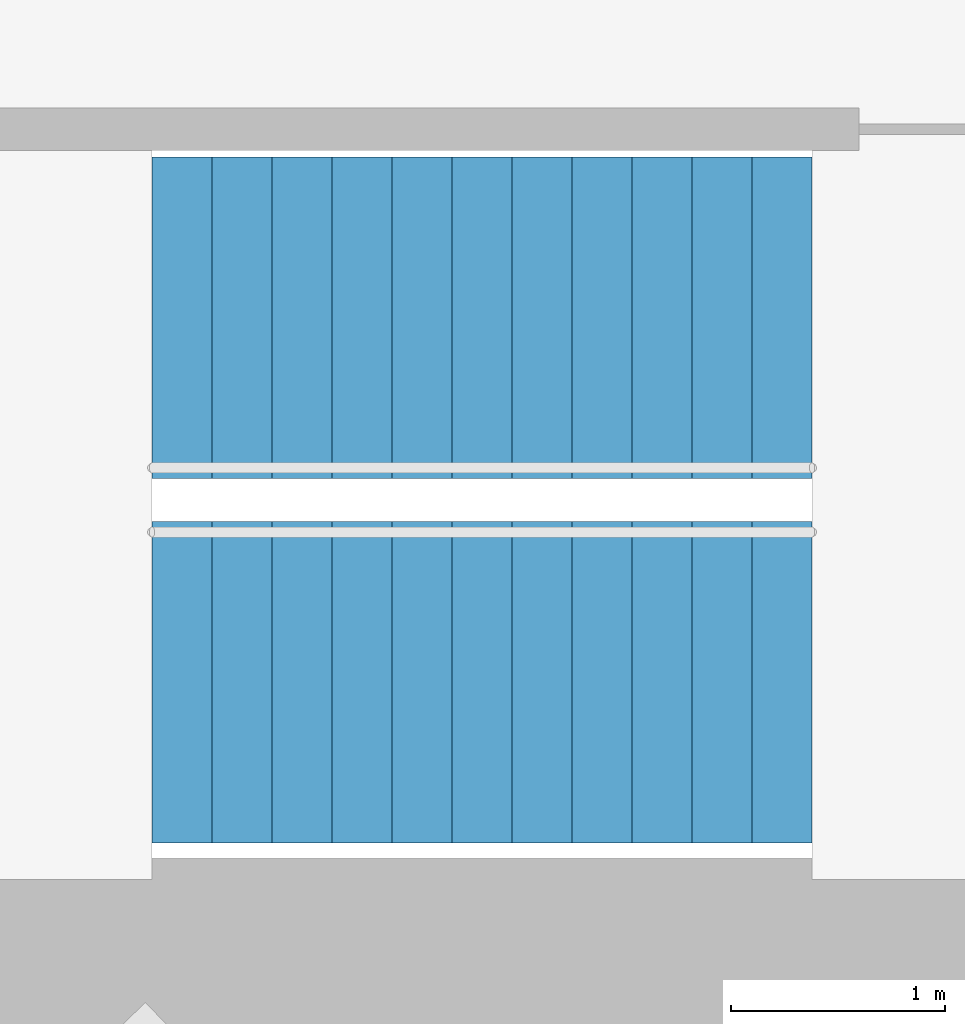
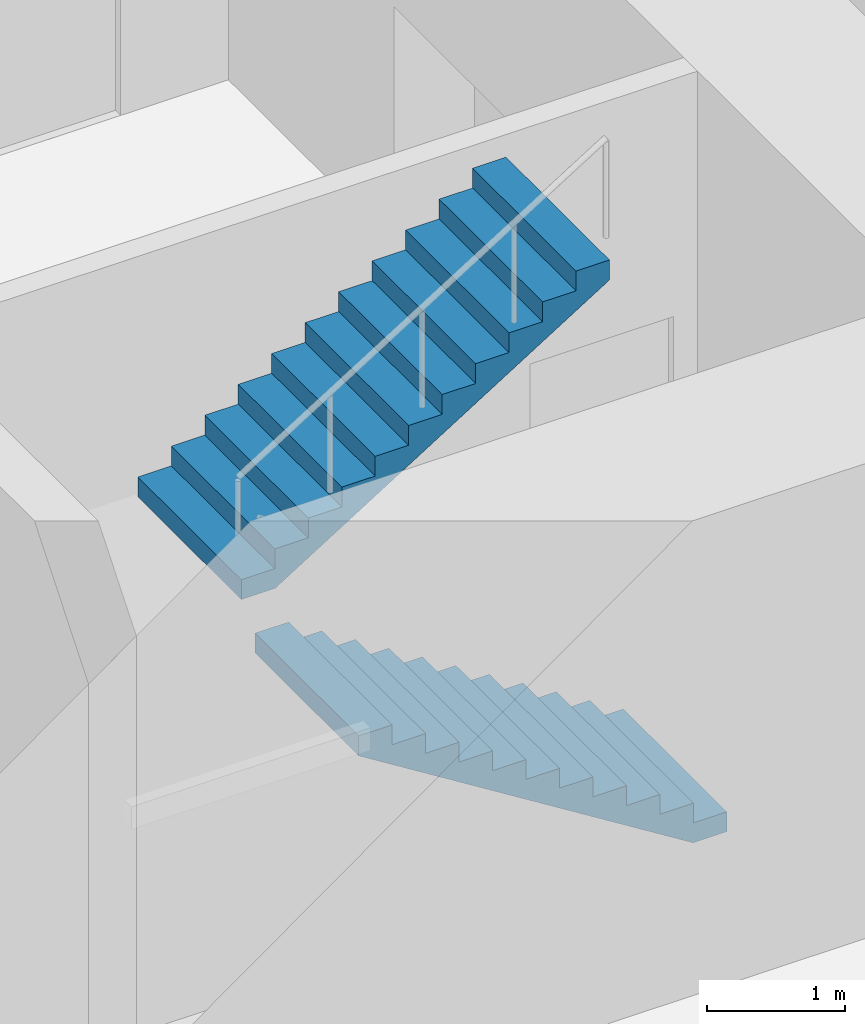
# One storey, part 17 of 18: 2 stair flights, 1 element without a shape of its own.
"""IFC4 building model written with IfcOpenShell, lengths in metres."""

from ifc_helpers import new_model, si_unit, direction, frame, origin, place, context, subcontext, project, spatial, triangles, material, type_object, element, aggregate, save


model = new_model("IFC4")

# Units and contexts
model_context = context("Model", 3, precision=1e-05, world=origin(), true_north=direction((0.0, 1.0)))
body_context = subcontext(model_context, "Body", "Model", "MODEL_VIEW")
ifc_project = project(units=[si_unit("LENGTHUNIT", "METRE"), si_unit("AREAUNIT", "SQUARE_METRE"), si_unit("VOLUMEUNIT", "CUBIC_METRE"), si_unit("PLANEANGLEUNIT", "RADIAN"), si_unit("MASSUNIT", "GRAM", prefix="KILO")], contexts=[model_context])

# Site, building, storey
site_placement = place(None, origin())
site = spatial("IfcSite", under=ifc_project, at=site_placement, CompositionType="ELEMENT")
building_placement = place(site_placement, origin())
building = spatial("IfcBuilding", under=site, at=building_placement, Name="Lantaw Convention Tower", CompositionType="ELEMENT")
storey_placement = place(building_placement, frame((0.0, 0.0, 146.800048828125)))
storey = spatial("IfcBuildingStorey", under=building, at=storey_placement, Name="L34", CompositionType="ELEMENT", Elevation=146.800048828125)

# Stair, stair flights
ifc_material = material(Name="Concrete C35/45", Category="concrete")
stair_type = type_object("IfcStairType", Name="Exit stair 1500 riser 175 in 2 flights", PredefinedType="HALF_TURN_STAIR", material=ifc_material)
stair_placement = place(storey_placement, origin())
stair = element("IfcStair", 1, at=stair_placement, inside=storey, type_object=stair_type, Name="Exit stair S2 L34", PredefinedType="HALF_TURN_STAIR")
stair_flight_type = type_object("IfcStairFlightType", Name="Stair flight 1500 riser 175", PredefinedType="STRAIGHT", material=ifc_material)
stair_flight_1_placement = place(storey_placement, frame((10.580078125, -5.97998046875, 0.0), z_axis=(0.0, 0.0, 1.0), x_axis=(-1.0, 0.0, 0.0)))
stair_flight_1 = element("IfcStairFlight", 2, at=stair_flight_1_placement, type_object=stair_flight_type, Name="S2 flight 1", NumberOfRisers=12, NumberOfTreads=11, PredefinedType="STRAIGHT", RiserHeight=0.175, TreadLength=0.28, context=body_context, shape_type="Tessellation", body=[
    triangles([(0.0, 0.75, 0.0), (0.0, 0.75, 0.175), (0.28, 0.75, 0.0), (0.28, 0.75, 0.175), (0.28, 0.75, 0.35), (0.28283517651771284, 0.75, 0.0), (0.28283517651771284, 0.75, 0.35), (0.56, 0.75, 0.17322801467642948), (0.56, 0.75, 0.35), (0.56, 0.75, 0.5249999999999999), (0.8400000000000001, 0.75, 0.34822801467642944), (0.8400000000000001, 0.75, 0.5249999999999999), (0.8400000000000001, 0.75, 0.7), (1.12, 0.75, 0.5232280146764294), (1.12, 0.75, 0.7), (1.12, 0.75, 0.875), (1.4000000000000001, 0.75, 0.6982280146764295), (1.4000000000000001, 0.75, 0.875), (1.4000000000000001, 0.75, 1.0499999999999998), (1.6800000000000002, 0.75, 0.8732280146764294), (1.6800000000000002, 0.75, 1.0499999999999998), (1.6800000000000002, 0.75, 1.2249999999999999), (1.9600000000000002, 0.75, 1.0482280146764293), (1.9600000000000002, 0.75, 1.2249999999999999), (1.9600000000000002, 0.75, 1.4), (2.24, 0.75, 1.2232280146764294), (2.24, 0.75, 1.4), (2.24, 0.75, 1.575), (2.5200000000000005, 0.75, 1.3982280146764294), (2.5200000000000005, 0.75, 1.575), (2.5200000000000005, 0.75, 1.75), (2.8000000000000003, 0.75, 1.5732280146764293), (2.8000000000000003, 0.75, 1.75), (2.8000000000000003, 0.75, 1.9249999999999998), (3.08, 0.75, 1.7482280146764293), (3.08, 0.75, 1.9249999999999998), (0.0, -0.75, 0.0), (0.0, -0.75, 0.175), (0.28, -0.75, 0.0), (0.28, -0.75, 0.175), (0.28, -0.75, 0.35), (0.28283517651771284, -0.75, 0.0), (0.28283517651771284, -0.75, 0.35), (0.56, -0.75, 0.17322801467642948), (0.56, -0.75, 0.35), (0.56, -0.75, 0.5249999999999999), (0.8400000000000001, -0.75, 0.34822801467642944), (0.8400000000000001, -0.75, 0.5249999999999999), (0.8400000000000001, -0.75, 0.7), (1.12, -0.75, 0.5232280146764294), (1.12, -0.75, 0.7), (1.12, -0.75, 0.875), (1.4000000000000001, -0.75, 0.6982280146764295), (1.4000000000000001, -0.75, 0.875), (1.4000000000000001, -0.75, 1.0499999999999998), (1.6800000000000002, -0.75, 0.8732280146764294), (1.6800000000000002, -0.75, 1.0499999999999998), (1.6800000000000002, -0.75, 1.2249999999999999), (1.9600000000000002, -0.75, 1.0482280146764293), (1.9600000000000002, -0.75, 1.2249999999999999), (1.9600000000000002, -0.75, 1.4), (2.24, -0.75, 1.2232280146764294), (2.24, -0.75, 1.4), (2.24, -0.75, 1.575), (2.5200000000000005, -0.75, 1.3982280146764294), (2.5200000000000005, -0.75, 1.575), (2.5200000000000005, -0.75, 1.75), (2.8000000000000003, -0.75, 1.5732280146764293), (2.8000000000000003, -0.75, 1.75), (2.8000000000000003, -0.75, 1.9249999999999998), (3.08, -0.75, 1.7482280146764293), (3.08, -0.75, 1.9249999999999998), (0.0, 0.15000000000000002, 0.175), (0.0, 0.15000000000000002, 0.0), (0.0, 0.0, 0.175), (0.0, 0.0, 0.0), (0.0, -0.15000000000000002, 0.175), (0.0, -0.15000000000000002, 0.0), (0.28, 0.15000000000000002, 0.35), (0.28, 0.15000000000000002, 0.175), (0.28, 0.0, 0.35), (0.28, 0.0, 0.175), (0.28, -0.15000000000000002, 0.35), (0.28, -0.15000000000000002, 0.175), (0.56, 0.15000000000000002, 0.5249999999999999), (0.56, 0.15000000000000002, 0.35), (0.56, 0.0, 0.5249999999999999), (0.56, 0.0, 0.35), (0.56, -0.15000000000000002, 0.5249999999999999), (0.56, -0.15000000000000002, 0.35), (0.8400000000000001, 0.15000000000000002, 0.7), (0.8400000000000001, 0.15000000000000002, 0.5249999999999999), (0.8400000000000001, 0.0, 0.7), (0.8400000000000001, 0.0, 0.5249999999999999), (0.8400000000000001, -0.15000000000000002, 0.7), (0.8400000000000001, -0.15000000000000002, 0.5249999999999999), (1.12, 0.15000000000000002, 0.875), (1.12, 0.15000000000000002, 0.7), (1.12, 0.0, 0.875), (1.12, 0.0, 0.7), (1.12, -0.15000000000000002, 0.875), (1.12, -0.15000000000000002, 0.7), (1.4000000000000001, 0.15000000000000002, 1.0499999999999998), (1.4000000000000001, 0.15000000000000002, 0.875), (1.4000000000000001, 0.0, 1.0499999999999998), (1.4000000000000001, 0.0, 0.875), (1.4000000000000001, -0.15000000000000002, 1.0499999999999998), (1.4000000000000001, -0.15000000000000002, 0.875), (1.6800000000000002, 0.15000000000000002, 1.2249999999999999), (1.6800000000000002, 0.15000000000000002, 1.0499999999999998), (1.6800000000000002, 0.0, 1.2249999999999999), (1.6800000000000002, 0.0, 1.0499999999999998), (1.6800000000000002, -0.15000000000000002, 1.2249999999999999), (1.6800000000000002, -0.15000000000000002, 1.0499999999999998), (1.9600000000000002, 0.15000000000000002, 1.4), (1.9600000000000002, 0.15000000000000002, 1.2249999999999999), (1.9600000000000002, 0.0, 1.4), (1.9600000000000002, 0.0, 1.2249999999999999), (1.9600000000000002, -0.15000000000000002, 1.4), (1.9600000000000002, -0.15000000000000002, 1.2249999999999999), (2.24, 0.15000000000000002, 1.575), (2.24, 0.15000000000000002, 1.4), (2.24, 0.0, 1.575), (2.24, 0.0, 1.4), (2.24, -0.15000000000000002, 1.575), (2.24, -0.15000000000000002, 1.4), (2.5200000000000005, 0.15000000000000002, 1.75), (2.5200000000000005, 0.15000000000000002, 1.575), (2.5200000000000005, 0.0, 1.75), (2.5200000000000005, 0.0, 1.575), (2.5200000000000005, -0.15000000000000002, 1.75), (2.5200000000000005, -0.15000000000000002, 1.575), (2.8000000000000003, 0.15000000000000002, 1.9249999999999998), (2.8000000000000003, 0.15000000000000002, 1.75), (2.8000000000000003, 0.0, 1.9249999999999998), (2.8000000000000003, 0.0, 1.75), (2.8000000000000003, -0.15000000000000002, 1.9249999999999998), (2.8000000000000003, -0.15000000000000002, 1.75), (0.28283517651771284, 0.15000000000000002, 0.35), (0.28283517651771284, 0.0, 0.35), (0.28283517651771284, -0.15000000000000002, 0.35), (3.08, 0.15000000000000002, 1.9249999999999998), (3.08, 0.0, 1.9249999999999998), (3.08, -0.15000000000000002, 1.9249999999999998), (3.08, 0.15000000000000002, 1.7482280146764293), (3.08, 0.0, 1.7482280146764293), (3.08, -0.15000000000000002, 1.7482280146764293), (2.8000000000000003, 0.15000000000000002, 1.5732280146764293), (2.8000000000000003, 0.0, 1.5732280146764293), (2.8000000000000003, -0.15000000000000002, 1.5732280146764293), (2.5200000000000005, 0.15000000000000002, 1.3982280146764294), (2.5200000000000005, 0.0, 1.3982280146764294), (2.5200000000000005, -0.15000000000000002, 1.3982280146764294), (2.24, 0.15000000000000002, 1.2232280146764294), (2.24, 0.0, 1.2232280146764294), (2.24, -0.15000000000000002, 1.2232280146764294), (1.9600000000000002, 0.15000000000000002, 1.0482280146764293), (1.9600000000000002, 0.0, 1.0482280146764293), (1.9600000000000002, -0.15000000000000002, 1.0482280146764293), (1.6800000000000002, 0.15000000000000002, 0.8732280146764294), (1.6800000000000002, 0.0, 0.8732280146764294), (1.6800000000000002, -0.15000000000000002, 0.8732280146764294), (1.4000000000000001, 0.15000000000000002, 0.6982280146764295), (1.4000000000000001, 0.0, 0.6982280146764295), (1.4000000000000001, -0.15000000000000002, 0.6982280146764295), (1.12, 0.15000000000000002, 0.5232280146764294), (1.12, 0.0, 0.5232280146764294), (1.12, -0.15000000000000002, 0.5232280146764294), (0.8400000000000001, 0.15000000000000002, 0.34822801467642944), (0.8400000000000001, 0.0, 0.34822801467642944), (0.8400000000000001, -0.15000000000000002, 0.34822801467642944), (0.56, 0.15000000000000002, 0.17322801467642948), (0.56, 0.0, 0.17322801467642948), (0.56, -0.15000000000000002, 0.17322801467642948), (0.28283517651771284, 0.15000000000000002, 0.0), (0.28283517651771284, 0.0, 0.0), (0.28283517651771284, -0.15000000000000002, 0.0), (0.28, 0.15000000000000002, 0.0), (0.28, 0.0, 0.0), (0.28, -0.15000000000000002, 0.0)], [[1, 4, 3], [1, 2, 4], [3, 4, 6], [4, 7, 6], [4, 5, 7], [6, 9, 8], [6, 7, 9], [8, 9, 11], [9, 12, 11], [9, 10, 12], [11, 12, 14], [12, 15, 14], [12, 13, 15], [14, 15, 17], [15, 18, 17], [15, 16, 18], [17, 18, 20], [18, 21, 20], [18, 19, 21], [20, 21, 23], [21, 24, 23], [21, 22, 24], [23, 24, 26], [24, 27, 26], [24, 25, 27], [26, 27, 29], [27, 30, 29], [27, 28, 30], [29, 30, 32], [30, 33, 32], [30, 31, 33], [32, 33, 35], [33, 36, 35], [33, 34, 36], [37, 39, 40], [37, 40, 38], [39, 42, 40], [40, 42, 43], [40, 43, 41], [42, 44, 45], [42, 45, 43], [44, 47, 45], [45, 47, 48], [45, 48, 46], [47, 50, 48], [48, 50, 51], [48, 51, 49], [50, 53, 51], [51, 53, 54], [51, 54, 52], [53, 56, 54], [54, 56, 57], [54, 57, 55], [56, 59, 57], [57, 59, 60], [57, 60, 58], [59, 62, 60], [60, 62, 63], [60, 63, 61], [62, 65, 63], [63, 65, 66], [63, 66, 64], [65, 68, 66], [66, 68, 69], [66, 69, 67], [68, 71, 69], [69, 71, 72], [69, 72, 70], [1, 73, 2], [1, 74, 73], [74, 75, 73], [74, 76, 75], [76, 77, 75], [76, 78, 77], [78, 38, 77], [78, 37, 38], [4, 79, 5], [4, 80, 79], [80, 81, 79], [80, 82, 81], [82, 83, 81], [82, 84, 83], [84, 41, 83], [84, 40, 41], [9, 85, 10], [9, 86, 85], [86, 87, 85], [86, 88, 87], [88, 89, 87], [88, 90, 89], [90, 46, 89], [90, 45, 46], [12, 91, 13], [12, 92, 91], [92, 93, 91], [92, 94, 93], [94, 95, 93], [94, 96, 95], [96, 49, 95], [96, 48, 49], [15, 97, 16], [15, 98, 97], [98, 99, 97], [98, 100, 99], [100, 101, 99], [100, 102, 101], [102, 52, 101], [102, 51, 52], [18, 103, 19], [18, 104, 103], [104, 105, 103], [104, 106, 105], [106, 107, 105], [106, 108, 107], [108, 55, 107], [108, 54, 55], [21, 109, 22], [21, 110, 109], [110, 111, 109], [110, 112, 111], [112, 113, 111], [112, 114, 113], [114, 58, 113], [114, 57, 58], [24, 115, 25], [24, 116, 115], [116, 117, 115], [116, 118, 117], [118, 119, 117], [118, 120, 119], [120, 61, 119], [120, 60, 61], [27, 121, 28], [27, 122, 121], [122, 123, 121], [122, 124, 123], [124, 125, 123], [124, 126, 125], [126, 64, 125], [126, 63, 64], [30, 127, 31], [30, 128, 127], [128, 129, 127], [128, 130, 129], [130, 131, 129], [130, 132, 131], [132, 67, 131], [132, 66, 67], [33, 133, 34], [33, 134, 133], [134, 135, 133], [134, 136, 135], [136, 137, 135], [136, 138, 137], [138, 70, 137], [138, 69, 70], [2, 80, 4], [2, 73, 80], [73, 82, 80], [73, 75, 82], [75, 84, 82], [75, 77, 84], [77, 40, 84], [77, 38, 40], [5, 139, 7], [5, 79, 139], [79, 140, 139], [79, 81, 140], [81, 141, 140], [81, 83, 141], [83, 43, 141], [83, 41, 43], [7, 86, 9], [7, 139, 86], [139, 88, 86], [139, 140, 88], [140, 90, 88], [140, 141, 90], [141, 45, 90], [141, 43, 45], [10, 92, 12], [10, 85, 92], [85, 94, 92], [85, 87, 94], [87, 96, 94], [87, 89, 96], [89, 48, 96], [89, 46, 48], [13, 98, 15], [13, 91, 98], [91, 100, 98], [91, 93, 100], [93, 102, 100], [93, 95, 102], [95, 51, 102], [95, 49, 51], [16, 104, 18], [16, 97, 104], [97, 106, 104], [97, 99, 106], [99, 108, 106], [99, 101, 108], [101, 54, 108], [101, 52, 54], [19, 110, 21], [19, 103, 110], [103, 112, 110], [103, 105, 112], [105, 114, 112], [105, 107, 114], [107, 57, 114], [107, 55, 57], [22, 116, 24], [22, 109, 116], [109, 118, 116], [109, 111, 118], [111, 120, 118], [111, 113, 120], [113, 60, 120], [113, 58, 60], [25, 122, 27], [25, 115, 122], [115, 124, 122], [115, 117, 124], [117, 126, 124], [117, 119, 126], [119, 63, 126], [119, 61, 63], [28, 128, 30], [28, 121, 128], [121, 130, 128], [121, 123, 130], [123, 132, 130], [123, 125, 132], [125, 66, 132], [125, 64, 66], [31, 134, 33], [31, 127, 134], [127, 136, 134], [127, 129, 136], [129, 138, 136], [129, 131, 138], [131, 69, 138], [131, 67, 69], [34, 142, 36], [34, 133, 142], [133, 143, 142], [133, 135, 143], [135, 144, 143], [135, 137, 144], [137, 72, 144], [137, 70, 72], [36, 145, 35], [36, 142, 145], [142, 146, 145], [142, 143, 146], [143, 147, 146], [143, 144, 147], [144, 71, 147], [144, 72, 71], [35, 148, 32], [35, 145, 148], [145, 149, 148], [145, 146, 149], [146, 150, 149], [146, 147, 150], [147, 68, 150], [147, 71, 68], [32, 151, 29], [32, 148, 151], [148, 152, 151], [148, 149, 152], [149, 153, 152], [149, 150, 153], [150, 65, 153], [150, 68, 65], [29, 154, 26], [29, 151, 154], [151, 155, 154], [151, 152, 155], [152, 156, 155], [152, 153, 156], [153, 62, 156], [153, 65, 62], [26, 157, 23], [26, 154, 157], [154, 158, 157], [154, 155, 158], [155, 159, 158], [155, 156, 159], [156, 59, 159], [156, 62, 59], [23, 160, 20], [23, 157, 160], [157, 161, 160], [157, 158, 161], [158, 162, 161], [158, 159, 162], [159, 56, 162], [159, 59, 56], [20, 163, 17], [20, 160, 163], [160, 164, 163], [160, 161, 164], [161, 165, 164], [161, 162, 165], [162, 53, 165], [162, 56, 53], [17, 166, 14], [17, 163, 166], [163, 167, 166], [163, 164, 167], [164, 168, 167], [164, 165, 168], [165, 50, 168], [165, 53, 50], [14, 169, 11], [14, 166, 169], [166, 170, 169], [166, 167, 170], [167, 171, 170], [167, 168, 171], [168, 47, 171], [168, 50, 47], [11, 172, 8], [11, 169, 172], [169, 173, 172], [169, 170, 173], [170, 174, 173], [170, 171, 174], [171, 44, 174], [171, 47, 44], [8, 175, 6], [8, 172, 175], [172, 176, 175], [172, 173, 176], [173, 177, 176], [173, 174, 177], [174, 42, 177], [174, 44, 42], [6, 178, 3], [6, 175, 178], [175, 179, 178], [175, 176, 179], [176, 180, 179], [176, 177, 180], [177, 39, 180], [177, 42, 39], [3, 74, 1], [3, 178, 74], [178, 76, 74], [178, 179, 76], [179, 78, 76], [179, 180, 78], [180, 37, 78], [180, 39, 37]], closed=True),
])
stair_flight_2_placement = place(storey_placement, frame((7.5, -4.280029296875, 2.099853515625), z_axis=(0.0, 0.0, 1.0), x_axis=(1.0, 0.0, 0.0)))
stair_flight_2 = element("IfcStairFlight", 3, at=stair_flight_2_placement, type_object=stair_flight_type, Name="S2 flight 2", NumberOfRisers=12, NumberOfTreads=11, PredefinedType="STRAIGHT", RiserHeight=0.175, TreadLength=0.28, context=body_context, shape_type="Tessellation", body=[
    triangles([(0.0, 0.75, 0.0), (0.0, 0.75, 0.175), (0.28, 0.75, 0.0), (0.28, 0.75, 0.175), (0.28, 0.75, 0.35), (0.28283517651771284, 0.75, 0.0), (0.28283517651771284, 0.75, 0.35), (0.56, 0.75, 0.17322801467642948), (0.56, 0.75, 0.35), (0.56, 0.75, 0.5249999999999999), (0.8400000000000001, 0.75, 0.34822801467642944), (0.8400000000000001, 0.75, 0.5249999999999999), (0.8400000000000001, 0.75, 0.7), (1.12, 0.75, 0.5232280146764294), (1.12, 0.75, 0.7), (1.12, 0.75, 0.875), (1.4000000000000001, 0.75, 0.6982280146764295), (1.4000000000000001, 0.75, 0.875), (1.4000000000000001, 0.75, 1.0499999999999998), (1.6800000000000002, 0.75, 0.8732280146764294), (1.6800000000000002, 0.75, 1.0499999999999998), (1.6800000000000002, 0.75, 1.2249999999999999), (1.9600000000000002, 0.75, 1.0482280146764293), (1.9600000000000002, 0.75, 1.2249999999999999), (1.9600000000000002, 0.75, 1.4), (2.24, 0.75, 1.2232280146764294), (2.24, 0.75, 1.4), (2.24, 0.75, 1.575), (2.5200000000000005, 0.75, 1.3982280146764294), (2.5200000000000005, 0.75, 1.575), (2.5200000000000005, 0.75, 1.75), (2.8000000000000003, 0.75, 1.5732280146764293), (2.8000000000000003, 0.75, 1.75), (2.8000000000000003, 0.75, 1.9249999999999998), (3.08, 0.75, 1.7482280146764293), (3.08, 0.75, 1.9249999999999998), (0.0, -0.75, 0.0), (0.0, -0.75, 0.175), (0.28, -0.75, 0.0), (0.28, -0.75, 0.175), (0.28, -0.75, 0.35), (0.28283517651771284, -0.75, 0.0), (0.28283517651771284, -0.75, 0.35), (0.56, -0.75, 0.17322801467642948), (0.56, -0.75, 0.35), (0.56, -0.75, 0.5249999999999999), (0.8400000000000001, -0.75, 0.34822801467642944), (0.8400000000000001, -0.75, 0.5249999999999999), (0.8400000000000001, -0.75, 0.7), (1.12, -0.75, 0.5232280146764294), (1.12, -0.75, 0.7), (1.12, -0.75, 0.875), (1.4000000000000001, -0.75, 0.6982280146764295), (1.4000000000000001, -0.75, 0.875), (1.4000000000000001, -0.75, 1.0499999999999998), (1.6800000000000002, -0.75, 0.8732280146764294), (1.6800000000000002, -0.75, 1.0499999999999998), (1.6800000000000002, -0.75, 1.2249999999999999), (1.9600000000000002, -0.75, 1.0482280146764293), (1.9600000000000002, -0.75, 1.2249999999999999), (1.9600000000000002, -0.75, 1.4), (2.24, -0.75, 1.2232280146764294), (2.24, -0.75, 1.4), (2.24, -0.75, 1.575), (2.5200000000000005, -0.75, 1.3982280146764294), (2.5200000000000005, -0.75, 1.575), (2.5200000000000005, -0.75, 1.75), (2.8000000000000003, -0.75, 1.5732280146764293), (2.8000000000000003, -0.75, 1.75), (2.8000000000000003, -0.75, 1.9249999999999998), (3.08, -0.75, 1.7482280146764293), (3.08, -0.75, 1.9249999999999998), (0.0, 0.15000000000000002, 0.175), (0.0, 0.15000000000000002, 0.0), (0.0, 0.0, 0.175), (0.0, 0.0, 0.0), (0.0, -0.15000000000000002, 0.175), (0.0, -0.15000000000000002, 0.0), (0.28, 0.15000000000000002, 0.35), (0.28, 0.15000000000000002, 0.175), (0.28, 0.0, 0.35), (0.28, 0.0, 0.175), (0.28, -0.15000000000000002, 0.35), (0.28, -0.15000000000000002, 0.175), (0.56, 0.15000000000000002, 0.5249999999999999), (0.56, 0.15000000000000002, 0.35), (0.56, 0.0, 0.5249999999999999), (0.56, 0.0, 0.35), (0.56, -0.15000000000000002, 0.5249999999999999), (0.56, -0.15000000000000002, 0.35), (0.8400000000000001, 0.15000000000000002, 0.7), (0.8400000000000001, 0.15000000000000002, 0.5249999999999999), (0.8400000000000001, 0.0, 0.7), (0.8400000000000001, 0.0, 0.5249999999999999), (0.8400000000000001, -0.15000000000000002, 0.7), (0.8400000000000001, -0.15000000000000002, 0.5249999999999999), (1.12, 0.15000000000000002, 0.875), (1.12, 0.15000000000000002, 0.7), (1.12, 0.0, 0.875), (1.12, 0.0, 0.7), (1.12, -0.15000000000000002, 0.875), (1.12, -0.15000000000000002, 0.7), (1.4000000000000001, 0.15000000000000002, 1.0499999999999998), (1.4000000000000001, 0.15000000000000002, 0.875), (1.4000000000000001, 0.0, 1.0499999999999998), (1.4000000000000001, 0.0, 0.875), (1.4000000000000001, -0.15000000000000002, 1.0499999999999998), (1.4000000000000001, -0.15000000000000002, 0.875), (1.6800000000000002, 0.15000000000000002, 1.2249999999999999), (1.6800000000000002, 0.15000000000000002, 1.0499999999999998), (1.6800000000000002, 0.0, 1.2249999999999999), (1.6800000000000002, 0.0, 1.0499999999999998), (1.6800000000000002, -0.15000000000000002, 1.2249999999999999), (1.6800000000000002, -0.15000000000000002, 1.0499999999999998), (1.9600000000000002, 0.15000000000000002, 1.4), (1.9600000000000002, 0.15000000000000002, 1.2249999999999999), (1.9600000000000002, 0.0, 1.4), (1.9600000000000002, 0.0, 1.2249999999999999), (1.9600000000000002, -0.15000000000000002, 1.4), (1.9600000000000002, -0.15000000000000002, 1.2249999999999999), (2.24, 0.15000000000000002, 1.575), (2.24, 0.15000000000000002, 1.4), (2.24, 0.0, 1.575), (2.24, 0.0, 1.4), (2.24, -0.15000000000000002, 1.575), (2.24, -0.15000000000000002, 1.4), (2.5200000000000005, 0.15000000000000002, 1.75), (2.5200000000000005, 0.15000000000000002, 1.575), (2.5200000000000005, 0.0, 1.75), (2.5200000000000005, 0.0, 1.575), (2.5200000000000005, -0.15000000000000002, 1.75), (2.5200000000000005, -0.15000000000000002, 1.575), (2.8000000000000003, 0.15000000000000002, 1.9249999999999998), (2.8000000000000003, 0.15000000000000002, 1.75), (2.8000000000000003, 0.0, 1.9249999999999998), (2.8000000000000003, 0.0, 1.75), (2.8000000000000003, -0.15000000000000002, 1.9249999999999998), (2.8000000000000003, -0.15000000000000002, 1.75), (0.28283517651771284, 0.15000000000000002, 0.35), (0.28283517651771284, 0.0, 0.35), (0.28283517651771284, -0.15000000000000002, 0.35), (3.08, 0.15000000000000002, 1.9249999999999998), (3.08, 0.0, 1.9249999999999998), (3.08, -0.15000000000000002, 1.9249999999999998), (3.08, 0.15000000000000002, 1.7482280146764293), (3.08, 0.0, 1.7482280146764293), (3.08, -0.15000000000000002, 1.7482280146764293), (2.8000000000000003, 0.15000000000000002, 1.5732280146764293), (2.8000000000000003, 0.0, 1.5732280146764293), (2.8000000000000003, -0.15000000000000002, 1.5732280146764293), (2.5200000000000005, 0.15000000000000002, 1.3982280146764294), (2.5200000000000005, 0.0, 1.3982280146764294), (2.5200000000000005, -0.15000000000000002, 1.3982280146764294), (2.24, 0.15000000000000002, 1.2232280146764294), (2.24, 0.0, 1.2232280146764294), (2.24, -0.15000000000000002, 1.2232280146764294), (1.9600000000000002, 0.15000000000000002, 1.0482280146764293), (1.9600000000000002, 0.0, 1.0482280146764293), (1.9600000000000002, -0.15000000000000002, 1.0482280146764293), (1.6800000000000002, 0.15000000000000002, 0.8732280146764294), (1.6800000000000002, 0.0, 0.8732280146764294), (1.6800000000000002, -0.15000000000000002, 0.8732280146764294), (1.4000000000000001, 0.15000000000000002, 0.6982280146764295), (1.4000000000000001, 0.0, 0.6982280146764295), (1.4000000000000001, -0.15000000000000002, 0.6982280146764295), (1.12, 0.15000000000000002, 0.5232280146764294), (1.12, 0.0, 0.5232280146764294), (1.12, -0.15000000000000002, 0.5232280146764294), (0.8400000000000001, 0.15000000000000002, 0.34822801467642944), (0.8400000000000001, 0.0, 0.34822801467642944), (0.8400000000000001, -0.15000000000000002, 0.34822801467642944), (0.56, 0.15000000000000002, 0.17322801467642948), (0.56, 0.0, 0.17322801467642948), (0.56, -0.15000000000000002, 0.17322801467642948), (0.28283517651771284, 0.15000000000000002, 0.0), (0.28283517651771284, 0.0, 0.0), (0.28283517651771284, -0.15000000000000002, 0.0), (0.28, 0.15000000000000002, 0.0), (0.28, 0.0, 0.0), (0.28, -0.15000000000000002, 0.0)], [[1, 4, 3], [1, 2, 4], [3, 4, 6], [4, 7, 6], [4, 5, 7], [6, 9, 8], [6, 7, 9], [8, 9, 11], [9, 12, 11], [9, 10, 12], [11, 12, 14], [12, 15, 14], [12, 13, 15], [14, 15, 17], [15, 18, 17], [15, 16, 18], [17, 18, 20], [18, 21, 20], [18, 19, 21], [20, 21, 23], [21, 24, 23], [21, 22, 24], [23, 24, 26], [24, 27, 26], [24, 25, 27], [26, 27, 29], [27, 30, 29], [27, 28, 30], [29, 30, 32], [30, 33, 32], [30, 31, 33], [32, 33, 35], [33, 36, 35], [33, 34, 36], [37, 39, 40], [37, 40, 38], [39, 42, 40], [40, 42, 43], [40, 43, 41], [42, 44, 45], [42, 45, 43], [44, 47, 45], [45, 47, 48], [45, 48, 46], [47, 50, 48], [48, 50, 51], [48, 51, 49], [50, 53, 51], [51, 53, 54], [51, 54, 52], [53, 56, 54], [54, 56, 57], [54, 57, 55], [56, 59, 57], [57, 59, 60], [57, 60, 58], [59, 62, 60], [60, 62, 63], [60, 63, 61], [62, 65, 63], [63, 65, 66], [63, 66, 64], [65, 68, 66], [66, 68, 69], [66, 69, 67], [68, 71, 69], [69, 71, 72], [69, 72, 70], [1, 73, 2], [1, 74, 73], [74, 75, 73], [74, 76, 75], [76, 77, 75], [76, 78, 77], [78, 38, 77], [78, 37, 38], [4, 79, 5], [4, 80, 79], [80, 81, 79], [80, 82, 81], [82, 83, 81], [82, 84, 83], [84, 41, 83], [84, 40, 41], [9, 85, 10], [9, 86, 85], [86, 87, 85], [86, 88, 87], [88, 89, 87], [88, 90, 89], [90, 46, 89], [90, 45, 46], [12, 91, 13], [12, 92, 91], [92, 93, 91], [92, 94, 93], [94, 95, 93], [94, 96, 95], [96, 49, 95], [96, 48, 49], [15, 97, 16], [15, 98, 97], [98, 99, 97], [98, 100, 99], [100, 101, 99], [100, 102, 101], [102, 52, 101], [102, 51, 52], [18, 103, 19], [18, 104, 103], [104, 105, 103], [104, 106, 105], [106, 107, 105], [106, 108, 107], [108, 55, 107], [108, 54, 55], [21, 109, 22], [21, 110, 109], [110, 111, 109], [110, 112, 111], [112, 113, 111], [112, 114, 113], [114, 58, 113], [114, 57, 58], [24, 115, 25], [24, 116, 115], [116, 117, 115], [116, 118, 117], [118, 119, 117], [118, 120, 119], [120, 61, 119], [120, 60, 61], [27, 121, 28], [27, 122, 121], [122, 123, 121], [122, 124, 123], [124, 125, 123], [124, 126, 125], [126, 64, 125], [126, 63, 64], [30, 127, 31], [30, 128, 127], [128, 129, 127], [128, 130, 129], [130, 131, 129], [130, 132, 131], [132, 67, 131], [132, 66, 67], [33, 133, 34], [33, 134, 133], [134, 135, 133], [134, 136, 135], [136, 137, 135], [136, 138, 137], [138, 70, 137], [138, 69, 70], [2, 80, 4], [2, 73, 80], [73, 82, 80], [73, 75, 82], [75, 84, 82], [75, 77, 84], [77, 40, 84], [77, 38, 40], [5, 139, 7], [5, 79, 139], [79, 140, 139], [79, 81, 140], [81, 141, 140], [81, 83, 141], [83, 43, 141], [83, 41, 43], [7, 86, 9], [7, 139, 86], [139, 88, 86], [139, 140, 88], [140, 90, 88], [140, 141, 90], [141, 45, 90], [141, 43, 45], [10, 92, 12], [10, 85, 92], [85, 94, 92], [85, 87, 94], [87, 96, 94], [87, 89, 96], [89, 48, 96], [89, 46, 48], [13, 98, 15], [13, 91, 98], [91, 100, 98], [91, 93, 100], [93, 102, 100], [93, 95, 102], [95, 51, 102], [95, 49, 51], [16, 104, 18], [16, 97, 104], [97, 106, 104], [97, 99, 106], [99, 108, 106], [99, 101, 108], [101, 54, 108], [101, 52, 54], [19, 110, 21], [19, 103, 110], [103, 112, 110], [103, 105, 112], [105, 114, 112], [105, 107, 114], [107, 57, 114], [107, 55, 57], [22, 116, 24], [22, 109, 116], [109, 118, 116], [109, 111, 118], [111, 120, 118], [111, 113, 120], [113, 60, 120], [113, 58, 60], [25, 122, 27], [25, 115, 122], [115, 124, 122], [115, 117, 124], [117, 126, 124], [117, 119, 126], [119, 63, 126], [119, 61, 63], [28, 128, 30], [28, 121, 128], [121, 130, 128], [121, 123, 130], [123, 132, 130], [123, 125, 132], [125, 66, 132], [125, 64, 66], [31, 134, 33], [31, 127, 134], [127, 136, 134], [127, 129, 136], [129, 138, 136], [129, 131, 138], [131, 69, 138], [131, 67, 69], [34, 142, 36], [34, 133, 142], [133, 143, 142], [133, 135, 143], [135, 144, 143], [135, 137, 144], [137, 72, 144], [137, 70, 72], [36, 145, 35], [36, 142, 145], [142, 146, 145], [142, 143, 146], [143, 147, 146], [143, 144, 147], [144, 71, 147], [144, 72, 71], [35, 148, 32], [35, 145, 148], [145, 149, 148], [145, 146, 149], [146, 150, 149], [146, 147, 150], [147, 68, 150], [147, 71, 68], [32, 151, 29], [32, 148, 151], [148, 152, 151], [148, 149, 152], [149, 153, 152], [149, 150, 153], [150, 65, 153], [150, 68, 65], [29, 154, 26], [29, 151, 154], [151, 155, 154], [151, 152, 155], [152, 156, 155], [152, 153, 156], [153, 62, 156], [153, 65, 62], [26, 157, 23], [26, 154, 157], [154, 158, 157], [154, 155, 158], [155, 159, 158], [155, 156, 159], [156, 59, 159], [156, 62, 59], [23, 160, 20], [23, 157, 160], [157, 161, 160], [157, 158, 161], [158, 162, 161], [158, 159, 162], [159, 56, 162], [159, 59, 56], [20, 163, 17], [20, 160, 163], [160, 164, 163], [160, 161, 164], [161, 165, 164], [161, 162, 165], [162, 53, 165], [162, 56, 53], [17, 166, 14], [17, 163, 166], [163, 167, 166], [163, 164, 167], [164, 168, 167], [164, 165, 168], [165, 50, 168], [165, 53, 50], [14, 169, 11], [14, 166, 169], [166, 170, 169], [166, 167, 170], [167, 171, 170], [167, 168, 171], [168, 47, 171], [168, 50, 47], [11, 172, 8], [11, 169, 172], [169, 173, 172], [169, 170, 173], [170, 174, 173], [170, 171, 174], [171, 44, 174], [171, 47, 44], [8, 175, 6], [8, 172, 175], [172, 176, 175], [172, 173, 176], [173, 177, 176], [173, 174, 177], [174, 42, 177], [174, 44, 42], [6, 178, 3], [6, 175, 178], [175, 179, 178], [175, 176, 179], [176, 180, 179], [176, 177, 180], [177, 39, 180], [177, 42, 39], [3, 74, 1], [3, 178, 74], [178, 76, 74], [178, 179, 76], [179, 78, 76], [179, 180, 78], [180, 37, 78], [180, 39, 37]], closed=True),
])
aggregate(stair, [stair_flight_1, stair_flight_2])

save(model, "model.ifc")
